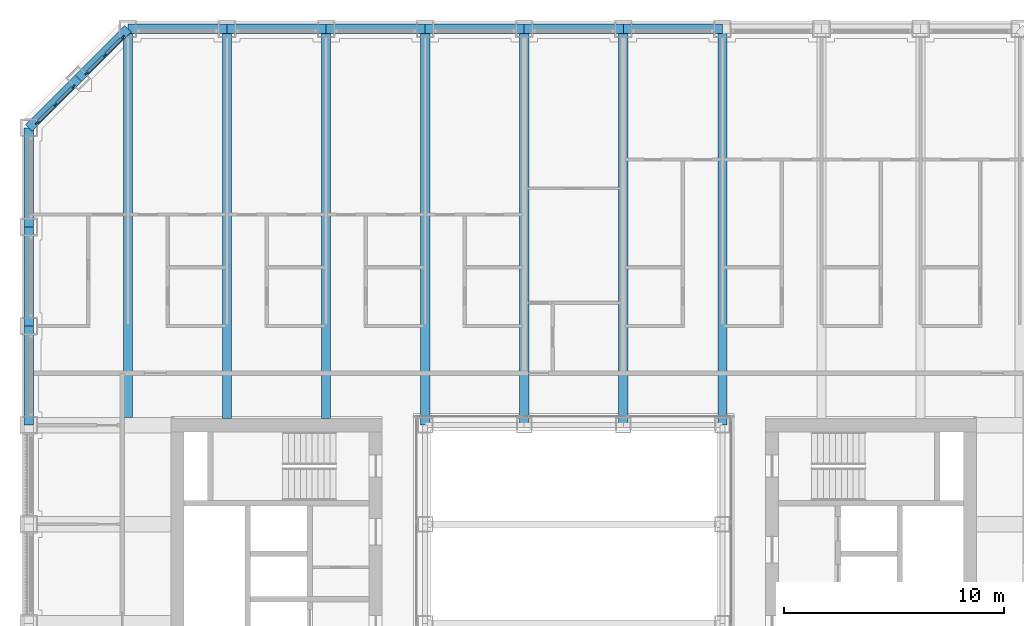
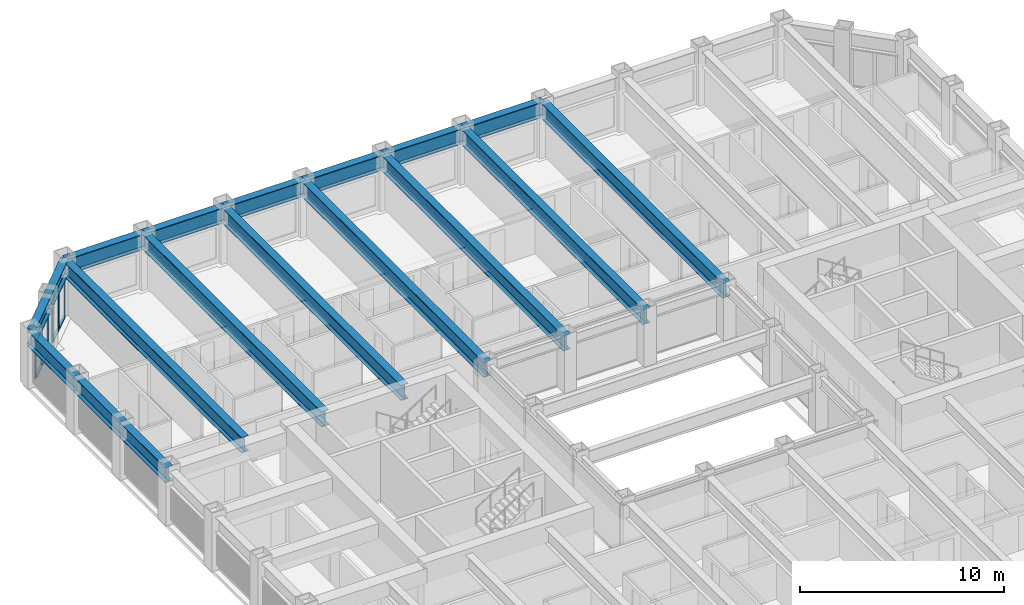
# One storey, part 6 of 21: 18 beams, 14 members, 2 elements without a shape of their own.
"""IFC4 building model written with IfcOpenShell, lengths in metres."""

from ifc_helpers import new_model, si_unit, direction, frame, origin, origin_2d, place, context, subcontext, project, spatial, rectangle, i_section, extrude, material, material_profile, profile_set, type_object, element, aggregate, save


model = new_model("IFC4")

# Units and contexts
model_context = context("Model", 3, precision=1e-05, world=origin(), true_north=direction((0.0, 1.0)))
body_context = subcontext(model_context, "Body", "Model", "MODEL_VIEW")
ifc_project = project(units=[si_unit("LENGTHUNIT", "METRE"), si_unit("AREAUNIT", "SQUARE_METRE"), si_unit("VOLUMEUNIT", "CUBIC_METRE"), si_unit("PLANEANGLEUNIT", "RADIAN"), si_unit("MASSUNIT", "GRAM", prefix="KILO")], contexts=[model_context])

# Site, building, storey
site_placement = place(None, origin())
site = spatial("IfcSite", under=ifc_project, at=site_placement, CompositionType="ELEMENT")
building_placement = place(site_placement, origin())
building = spatial("IfcBuilding", under=site, at=building_placement, Name="Msasa Ring Tower", CompositionType="ELEMENT")
storey_placement = place(building_placement, frame((0.0, 0.0, 103.5)))
storey = spatial("IfcBuildingStorey", under=building, at=storey_placement, Name="L27", CompositionType="ELEMENT", Elevation=103.5)

# Curtain wall, members
ifc_material_1 = material(Name="Aluminium curtain wall with clear glass", Category="aluminium")
curtain_wall_type = type_object("IfcCurtainWallType", Name="CW-C CHAMFER CORNER CURTAIN WALL", PredefinedType="NOTDEFINED", material=ifc_material_1)
curtain_wall_1_placement = place(storey_placement, origin())
curtain_wall_1 = element("IfcCurtainWall", 1, at=curtain_wall_1_placement, inside=storey, type_object=curtain_wall_type, Name="Chamfer corner curtain wall NW L27", PredefinedType="NOTDEFINED")
ifc_material_2 = material(Name="Aluminium mullion", Category="aluminium")
ifc_material_profile_1 = material_profile(ifc_material_2, rectangle(XDim=0.06494140625, YDim=0.179931640625, at=origin_2d()), Name="AL 65x180")
ifc_profile_set_1 = profile_set([ifc_material_profile_1], Name="Aluminium mullion")
member_type_1 = type_object("IfcMemberType", Name="CW-C MULLION 65x180", PredefinedType="MULLION", material=ifc_profile_set_1)
member_1_placement = place(storey_placement, frame((-22.73876953125, 22.119873046875, 0.0), z_axis=(0.0, 0.0, 1.0), x_axis=(0.707106781187, -0.707106781187, 0.0)))
member_1 = element("IfcMember", 2, at=member_1_placement, type_object=member_type_1, Name="CW-C mullion 1", PredefinedType="MULLION", context=body_context, shape_type="SweptSolid", body=[
    extrude(rectangle(XDim=0.06494140625, YDim=0.179931640625, at=origin_2d()), origin(), (0.0, 0.0, 1.0), 2.279052734375),
])
member_2_placement = place(storey_placement, frame((-23.55419921875, 21.30419921875, 0.0), z_axis=(0.0, 0.0, 1.0), x_axis=(0.707106781187, -0.707106781187, 0.0)))
member_2 = element("IfcMember", 3, at=member_2_placement, type_object=member_type_1, Name="CW-C mullion 2", PredefinedType="MULLION", context=body_context, shape_type="SweptSolid", body=[
    extrude(rectangle(XDim=0.06494140625, YDim=0.179931640625, at=origin_2d()), origin(), (0.0, 0.0, 1.0), 2.279052734375),
])
member_3_placement = place(storey_placement, frame((-24.369873046875, 20.48876953125, 0.0), z_axis=(0.0, 0.0, 1.0), x_axis=(0.707106781187, -0.707106781187, 0.0)))
member_3 = element("IfcMember", 4, at=member_3_placement, type_object=member_type_1, Name="CW-C mullion 3", PredefinedType="MULLION", context=body_context, shape_type="SweptSolid", body=[
    extrude(rectangle(XDim=0.06494140625, YDim=0.179931640625, at=origin_2d()), origin(), (0.0, 0.0, 1.0), 2.279052734375),
])

curtain_wall_2_placement = place(storey_placement, origin())
curtain_wall_2 = element("IfcCurtainWall", 5, at=curtain_wall_2_placement, inside=storey, type_object=curtain_wall_type, Name="Chamfer corner curtain wall NW L27", PredefinedType="NOTDEFINED")
member_4_placement = place(storey_placement, frame((-20.48876953125, 24.369873046875, 0.0), z_axis=(0.0, 0.0, 1.0), x_axis=(0.707106781187, -0.707106781187, 0.0)))
member_4 = element("IfcMember", 6, at=member_4_placement, type_object=member_type_1, Name="CW-C mullion 1", PredefinedType="MULLION", context=body_context, shape_type="SweptSolid", body=[
    extrude(rectangle(XDim=0.06494140625, YDim=0.179931640625, at=origin_2d()), origin(), (0.0, 0.0, 1.0), 2.279052734375),
])
member_5_placement = place(storey_placement, frame((-21.30419921875, 23.55419921875, 0.0), z_axis=(0.0, 0.0, 1.0), x_axis=(0.707106781187, -0.707106781187, 0.0)))
member_5 = element("IfcMember", 7, at=member_5_placement, type_object=member_type_1, Name="CW-C mullion 2", PredefinedType="MULLION", context=body_context, shape_type="SweptSolid", body=[
    extrude(rectangle(XDim=0.06494140625, YDim=0.179931640625, at=origin_2d()), origin(), (0.0, 0.0, 1.0), 2.279052734375),
])
member_6_placement = place(storey_placement, frame((-22.119873046875, 22.73876953125, 0.0), z_axis=(0.0, 0.0, 1.0), x_axis=(0.707106781187, -0.707106781187, 0.0)))
member_6 = element("IfcMember", 8, at=member_6_placement, type_object=member_type_1, Name="CW-C mullion 3", PredefinedType="MULLION", context=body_context, shape_type="SweptSolid", body=[
    extrude(rectangle(XDim=0.06494140625, YDim=0.179931640625, at=origin_2d()), origin(), (0.0, 0.0, 1.0), 2.279052734375),
])

# Member
ifc_material_3 = material(Name="Aluminium transom", Category="aluminium")
ifc_material_profile_2 = material_profile(ifc_material_3, rectangle(XDim=0.139892578125, YDim=0.06494140625, at=origin_2d()), Name="AL 65x140")
ifc_profile_set_2 = profile_set([ifc_material_profile_2], Name="Aluminium transom")
member_type_2 = type_object("IfcMemberType", Name="CW-C TRANSOM 65x140", PredefinedType="USERDEFINED", material=ifc_profile_set_2)
member_7_placement = place(storey_placement, frame((-22.76171875, 22.096923828125, 0.032470703125), z_axis=(-0.707106781187, -0.707106781187, 0.0), x_axis=(0.707106781187, -0.707106781187, 0.0)))
member_7 = element("IfcMember", 9, at=member_7_placement, type_object=member_type_2, Name="CW-C transom 1.1", ObjectType="TRANSOM", PredefinedType="USERDEFINED", context=body_context, shape_type="SweptSolid", body=[
    extrude(rectangle(XDim=0.139892578125, YDim=0.06494140625, at=origin_2d()), origin(), (0.0, 0.0, 1.0), 1.08837890625),
])

member_8_placement = place(storey_placement, frame((-22.76171875, 22.096923828125, 2.24658203125), z_axis=(-0.707106781187, -0.707106781187, 0.0), x_axis=(0.707106781187, -0.707106781187, 0.0)))
member_8 = element("IfcMember", 10, at=member_8_placement, type_object=member_type_2, Name="CW-C transom 1.2", ObjectType="TRANSOM", PredefinedType="USERDEFINED", context=body_context, shape_type="SweptSolid", body=[
    extrude(rectangle(XDim=0.139892578125, YDim=0.06494140625, at=origin_2d()), origin(), (0.0, 0.0, 1.0), 1.08837890625),
])

member_9_placement = place(storey_placement, frame((-23.577392578125, 21.28125, 0.032470703125), z_axis=(-0.707106781187, -0.707106781187, 0.0), x_axis=(0.707106781187, -0.707106781187, 0.0)))
member_9 = element("IfcMember", 11, at=member_9_placement, type_object=member_type_2, Name="CW-C transom 2.1", ObjectType="TRANSOM", PredefinedType="USERDEFINED", context=body_context, shape_type="SweptSolid", body=[
    extrude(rectangle(XDim=0.139892578125, YDim=0.06494140625, at=origin_2d()), origin(), (0.0, 0.0, 1.0), 1.08837890625),
])

member_10_placement = place(storey_placement, frame((-23.577392578125, 21.28125, 2.24658203125), z_axis=(-0.707106781187, -0.707106781187, 0.0), x_axis=(0.707106781187, -0.707106781187, 0.0)))
member_10 = element("IfcMember", 12, at=member_10_placement, type_object=member_type_2, Name="CW-C transom 2.2", ObjectType="TRANSOM", PredefinedType="USERDEFINED", context=body_context, shape_type="SweptSolid", body=[
    extrude(rectangle(XDim=0.139892578125, YDim=0.06494140625, at=origin_2d()), origin(), (0.0, 0.0, 1.0), 1.08837890625),
])

aggregate(curtain_wall_1, [member_1, member_2, member_3, member_7, member_8, member_9, member_10])

member_11_placement = place(storey_placement, frame((-20.51171875, 24.346923828125, 0.032470703125), z_axis=(-0.707106781187, -0.707106781187, 0.0), x_axis=(0.707106781187, -0.707106781187, 0.0)))
member_11 = element("IfcMember", 13, at=member_11_placement, type_object=member_type_2, Name="CW-C transom 1.1", ObjectType="TRANSOM", PredefinedType="USERDEFINED", context=body_context, shape_type="SweptSolid", body=[
    extrude(rectangle(XDim=0.139892578125, YDim=0.06494140625, at=origin_2d()), origin(), (0.0, 0.0, 1.0), 1.08837890625),
])

member_12_placement = place(storey_placement, frame((-20.51171875, 24.346923828125, 2.24658203125), z_axis=(-0.707106781187, -0.707106781187, 0.0), x_axis=(0.707106781187, -0.707106781187, 0.0)))
member_12 = element("IfcMember", 14, at=member_12_placement, type_object=member_type_2, Name="CW-C transom 1.2", ObjectType="TRANSOM", PredefinedType="USERDEFINED", context=body_context, shape_type="SweptSolid", body=[
    extrude(rectangle(XDim=0.139892578125, YDim=0.06494140625, at=origin_2d()), origin(), (0.0, 0.0, 1.0), 1.08837890625),
])

member_13_placement = place(storey_placement, frame((-21.327392578125, 23.53125, 0.032470703125), z_axis=(-0.707106781187, -0.707106781187, 0.0), x_axis=(0.707106781187, -0.707106781187, 0.0)))
member_13 = element("IfcMember", 15, at=member_13_placement, type_object=member_type_2, Name="CW-C transom 2.1", ObjectType="TRANSOM", PredefinedType="USERDEFINED", context=body_context, shape_type="SweptSolid", body=[
    extrude(rectangle(XDim=0.139892578125, YDim=0.06494140625, at=origin_2d()), origin(), (0.0, 0.0, 1.0), 1.08837890625),
])

member_14_placement = place(storey_placement, frame((-21.327392578125, 23.53125, 2.24658203125), z_axis=(-0.707106781187, -0.707106781187, 0.0), x_axis=(0.707106781187, -0.707106781187, 0.0)))
member_14 = element("IfcMember", 16, at=member_14_placement, type_object=member_type_2, Name="CW-C transom 2.2", ObjectType="TRANSOM", PredefinedType="USERDEFINED", context=body_context, shape_type="SweptSolid", body=[
    extrude(rectangle(XDim=0.139892578125, YDim=0.06494140625, at=origin_2d()), origin(), (0.0, 0.0, 1.0), 1.08837890625),
])

aggregate(curtain_wall_2, [member_4, member_5, member_6, member_11, member_12, member_13, member_14])

# Beams
ifc_material_4 = material(Name="Steel S355", Category="steel")
ifc_material_profile_3 = material_profile(ifc_material_4, i_section(OverallWidth=0.42041015625, OverallDepth=0.9208984375, WebThickness=0.021484375, FlangeThickness=0.03662109375, FilletRadius=0.024169921875, at=origin_2d()), Name="UB 914x419x388")
ifc_profile_set_3 = profile_set([ifc_material_profile_3], Name="Steel S355")
beam_type_1 = type_object("IfcBeamType", Name="FB2 UB 914x419x388", PredefinedType="BEAM", material=ifc_profile_set_3)
beam_placement = place(storey_placement, frame((-20.25, 24.75, 2.739501953125), z_axis=(0.0, -1.0, 0.0), x_axis=(1.0, 0.0, 0.0)))
element("IfcBeam", 17, at=beam_placement, inside=storey, type_object=beam_type_1, Name="Floor beam N-20.25 under L28", PredefinedType="BEAM", context=body_context, shape_type="SweptSolid", body=[
    extrude(i_section(OverallWidth=0.42041015625, OverallDepth=0.9208984375, WebThickness=0.021484375, FlangeThickness=0.03662109375, FilletRadius=0.024169921875, at=origin_2d()), origin(), (0.0, 0.0, 1.0), 17.64990234375),
])
for number, where, z_axis, x_axis, name in (
    (18, (-15.75, 24.75, 2.739501953125), (0.0, -1.0, 0.0), (1.0, 0.0, 0.0), "Floor beam N-15.75 under L28"),
    (19, (-11.25, 24.75, 2.739501953125), (0.0, -1.0, 0.0), (1.0, 0.0, 0.0), "Floor beam N-11.25 under L28"),
):
    element("IfcBeam", number, at=place(storey_placement, frame(where, z_axis=z_axis, x_axis=x_axis)), inside=storey, type_object=beam_type_1, Name=name, PredefinedType="BEAM", context=body_context, shape_type="SweptSolid", body=[
        extrude(i_section(OverallWidth=0.42041015625, OverallDepth=0.9208984375, WebThickness=0.021484375, FlangeThickness=0.03662109375, FilletRadius=0.024169921875, at=origin_2d()), origin(), (0.0, 0.0, 1.0), 17.699951171875),
    ])
for number, where, z_axis, x_axis, name in (
    (20, (-6.75, 24.75, 2.739501953125), (0.0, -1.0, 0.0), (1.0, 0.0, 0.0), "Floor beam N-6.75 under L28"),
    (21, (-2.25, 24.75, 2.739501953125), (0.0, -1.0, 0.0), (1.0, 0.0, 0.0), "Floor beam N-2.25 under L28"),
    (22, (2.25, 24.75, 2.739501953125), (0.0, -1.0, 0.0), (1.0, 0.0, 0.0), "Floor beam N+2.25 under L28"),
    (23, (6.75, 24.75, 2.739501953125), (0.0, -1.0, 0.0), (1.0, 0.0, 0.0), "Floor beam N+6.75 under L28"),
):
    element("IfcBeam", number, at=place(storey_placement, frame(where, z_axis=z_axis, x_axis=x_axis)), inside=storey, type_object=beam_type_1, Name=name, PredefinedType="BEAM", context=body_context, shape_type="SweptSolid", body=[
        extrude(i_section(OverallWidth=0.42041015625, OverallDepth=0.9208984375, WebThickness=0.021484375, FlangeThickness=0.03662109375, FilletRadius=0.024169921875, at=origin_2d()), origin(), (0.0, 0.0, 1.0), 18.0),
    ])
ifc_material_5 = material(Name="Steel S355", Category="steel")
ifc_material_profile_4 = material_profile(ifc_material_5, i_section(OverallWidth=0.42041015625, OverallDepth=0.9208984375, WebThickness=0.021484375, FlangeThickness=0.03662109375, FilletRadius=0.024169921875, at=origin_2d()), Name="UB 914x419x388")
ifc_profile_set_4 = profile_set([ifc_material_profile_4], Name="Steel S355")
beam_type_2 = type_object("IfcBeamType", Name="SB1 UB 914x419x388", PredefinedType="SPANDREL", material=ifc_profile_set_4)
for number, where, z_axis, x_axis, name in (
    (24, (6.75, 24.75, 2.739501953125), (-1.0, 0.0, 0.0), (0.0, -1.0, 0.0), "Spandrel N+6.75 to N+2.25 under L28"),
    (25, (2.25, 24.75, 2.739501953125), (-1.0, 0.0, 0.0), (0.0, -1.0, 0.0), "Spandrel N+2.25 to N-2.25 under L28"),
    (26, (-2.25, 24.75, 2.739501953125), (-1.0, 0.0, 0.0), (0.0, -1.0, 0.0), "Spandrel N-2.25 to N-6.75 under L28"),
    (27, (-6.75, 24.75, 2.739501953125), (-1.0, 0.0, 0.0), (0.0, -1.0, 0.0), "Spandrel N-6.75 to N-11.25 under L28"),
    (28, (-11.25, 24.75, 2.739501953125), (-1.0, 0.0, 0.0), (0.0, -1.0, 0.0), "Spandrel N-11.25 to N-15.75 under L28"),
    (29, (-15.75, 24.75, 2.739501953125), (-1.0, 0.0, 0.0), (0.0, -1.0, 0.0), "Spandrel N-15.75 to N-20.25 under L28"),
):
    element("IfcBeam", number, at=place(storey_placement, frame(where, z_axis=z_axis, x_axis=x_axis)), inside=storey, type_object=beam_type_2, Name=name, PredefinedType="SPANDREL", context=body_context, shape_type="SweptSolid", body=[
        extrude(i_section(OverallWidth=0.42041015625, OverallDepth=0.9208984375, WebThickness=0.021484375, FlangeThickness=0.03662109375, FilletRadius=0.024169921875, at=origin_2d()), origin(), (0.0, 0.0, 1.0), 4.5),
    ])
for number, where, z_axis, x_axis, name in (
    (30, (-20.25, 24.75, 2.739501953125), (-0.707106781187, -0.707106781187, 0.0), (0.707106781187, -0.707106781187, 0.0), "Spandrel N-20.25 to NW under L28"),
    (31, (-22.5, 22.5, 2.739501953125), (-0.707106781187, -0.707106781187, 0.0), (0.707106781187, -0.707106781187, 0.0), "Spandrel NW to W+20.25 under L28"),
):
    element("IfcBeam", number, at=place(storey_placement, frame(where, z_axis=z_axis, x_axis=x_axis)), inside=storey, type_object=beam_type_2, Name=name, PredefinedType="SPANDREL", context=body_context, shape_type="SweptSolid", body=[
        extrude(i_section(OverallWidth=0.42041015625, OverallDepth=0.9208984375, WebThickness=0.021484375, FlangeThickness=0.03662109375, FilletRadius=0.024169921875, at=origin_2d()), origin(), (0.0, 0.0, 1.0), 3.181884765625),
    ])
for number, where, z_axis, x_axis, name in (
    (32, (-24.75, 20.25, 2.739501953125), (0.0, -1.0, 0.0), (1.0, 0.0, 0.0), "Spandrel W+20.25 to W+15.75 under L28"),
    (33, (-24.75, 15.75, 2.739501953125), (0.0, -1.0, 0.0), (1.0, 0.0, 0.0), "Spandrel W+15.75 to W+11.25 under L28"),
    (34, (-24.75, 11.25, 2.739501953125), (0.0, -1.0, 0.0), (1.0, 0.0, 0.0), "Spandrel W+11.25 to W+6.75 under L28"),
):
    element("IfcBeam", number, at=place(storey_placement, frame(where, z_axis=z_axis, x_axis=x_axis)), inside=storey, type_object=beam_type_2, Name=name, PredefinedType="SPANDREL", context=body_context, shape_type="SweptSolid", body=[
        extrude(i_section(OverallWidth=0.42041015625, OverallDepth=0.9208984375, WebThickness=0.021484375, FlangeThickness=0.03662109375, FilletRadius=0.024169921875, at=origin_2d()), origin(), (0.0, 0.0, 1.0), 4.5),
    ])

save(model, "model.ifc")
